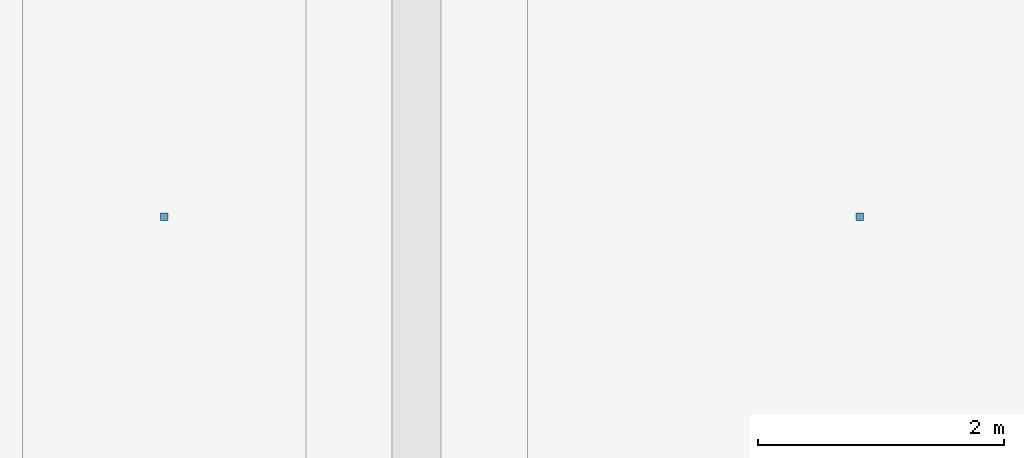
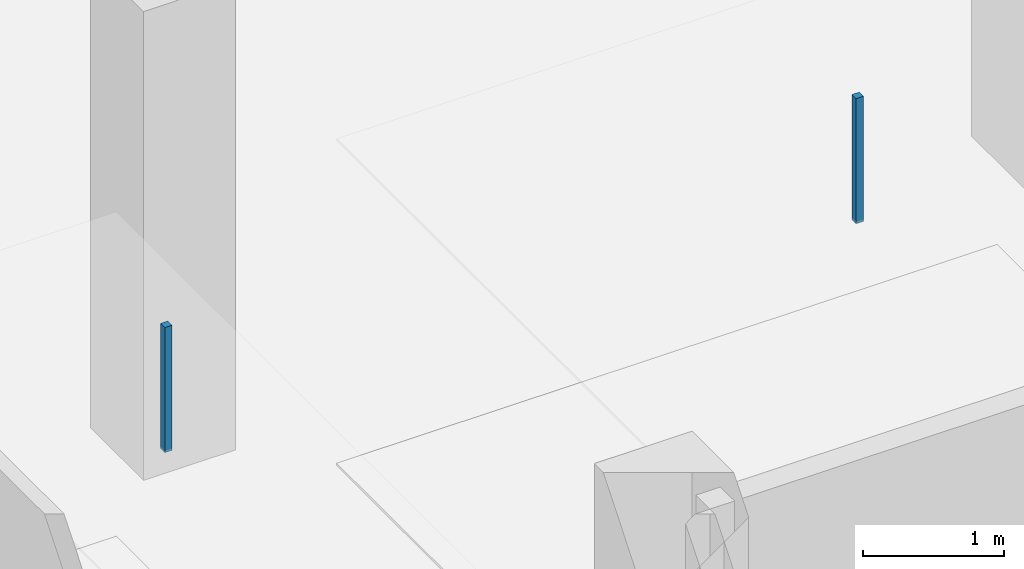
# One storey, part 102 of 107: 2 discrete accessories.
"""IFC4 building model written with IfcOpenShell, lengths in metres."""

from ifc_helpers import new_model, si_unit, direction, frame, origin, origin_2d, place, context, subcontext, project, spatial, rectangle, extrude, material, type_object, element, save


model = new_model("IFC4")

# Units and contexts
model_context = context("Model", 3, precision=1e-05, world=origin(), true_north=direction((0.0, 1.0)))
body_context = subcontext(model_context, "Body", "Model", "MODEL_VIEW")
ifc_project = project(units=[si_unit("LENGTHUNIT", "METRE"), si_unit("AREAUNIT", "SQUARE_METRE"), si_unit("VOLUMEUNIT", "CUBIC_METRE"), si_unit("PLANEANGLEUNIT", "RADIAN"), si_unit("MASSUNIT", "GRAM", prefix="KILO")], contexts=[model_context])

# Site, building, storey
site_placement = place(None, origin())
site = spatial("IfcSite", under=ifc_project, at=site_placement, CompositionType="ELEMENT")
building_placement = place(site_placement, origin())
building = spatial("IfcBuilding", under=site, at=building_placement, Name="Kangsadwip Square Police Headquarters", CompositionType="ELEMENT")
storey_placement = place(building_placement, frame((0.0, 0.0, 5.39990234375)))
storey = spatial("IfcBuildingStorey", under=building, at=storey_placement, Name="L01", CompositionType="ELEMENT", Elevation=5.39990234375)

# Discrete accessories
ifc_material = material(Name="Structural steel IS 2062 E350 (Grade 350, 350 MPa)", Category="steel")
discrete_accessory_type = type_object("IfcDiscreteAccessoryType", Name="VeilOutriggerBracket", PredefinedType="BRACKET", material=ifc_material)
for number, where, z_axis, x_axis, name in (
    (1, (149.14990234375, 104.39990234375, 2.81005859375), (0.0, 0.0, 1.0), (1.0, 0.0, 0.0), "Ceiling Suspension Hanger L01-044"),
    (2, (154.800048828125, 104.39990234375, 2.81005859375), (0.0, 0.0, 1.0), (1.0, 0.0, 0.0), "Ceiling Suspension Hanger L01-045"),
):
    element("IfcDiscreteAccessory", number, at=place(storey_placement, frame(where, z_axis=z_axis, x_axis=x_axis)), inside=storey, type_object=discrete_accessory_type, Name=name, PredefinedType="BRACKET", context=body_context, shape_type="SweptSolid", body=[
        extrude(rectangle(XDim=0.06005859375, YDim=0.06005859375, at=origin_2d()), origin(), (0.0, 0.0, 1.0), 1.080078125),
    ])

save(model, "model.ifc")
